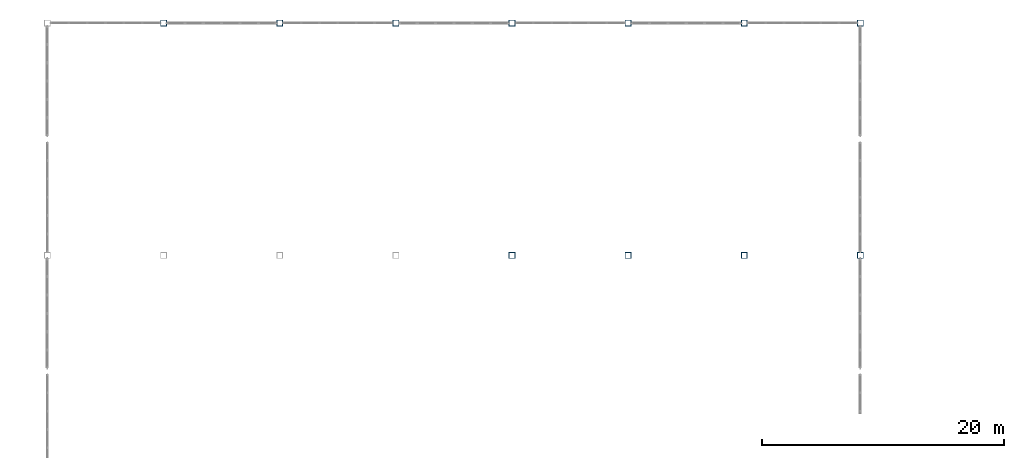
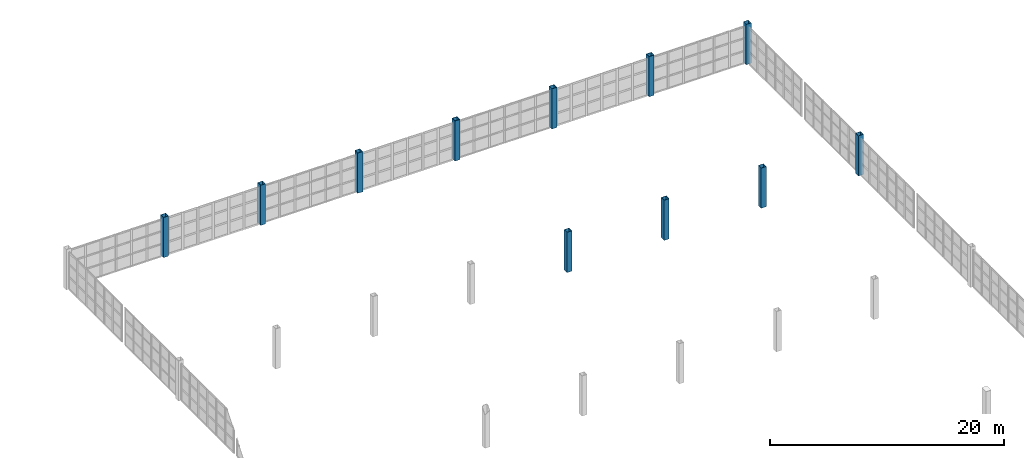
# One storey, part 10 of 82: 11 columns.
"""IFC4 building model written with IfcOpenShell, lengths in metres."""

from ifc_helpers import new_model, si_unit, direction, frame, origin, origin_2d, place, context, subcontext, project, spatial, hollow_rectangle, extrude, material, material_profile, profile_set, type_object, element, save


model = new_model("IFC4")

# Units and contexts
model_context = context("Model", 3, precision=1e-05, world=origin(), true_north=direction((0.0, 1.0)))
body_context = subcontext(model_context, "Body", "Model", "MODEL_VIEW")
ifc_project = project(units=[si_unit("LENGTHUNIT", "METRE"), si_unit("AREAUNIT", "SQUARE_METRE"), si_unit("VOLUMEUNIT", "CUBIC_METRE"), si_unit("PLANEANGLEUNIT", "RADIAN"), si_unit("MASSUNIT", "GRAM", prefix="KILO")], contexts=[model_context])

# Site, building, storey
site_placement = place(None, origin())
site = spatial("IfcSite", under=ifc_project, at=site_placement, CompositionType="ELEMENT")
building_placement = place(site_placement, origin())
building = spatial("IfcBuilding", under=site, at=building_placement, Name="Zarnetskaya Central Station", CompositionType="ELEMENT")
storey_placement = place(building_placement, frame((0.0, 0.0, 10.199951171875)))
storey = spatial("IfcBuildingStorey", under=building, at=storey_placement, Name="L02", CompositionType="ELEMENT", Elevation=10.199951171875)

# Columns
ifc_material = material(Name="Steel S355", Category="steel")
ifc_material_profile = material_profile(ifc_material, hollow_rectangle(XDim=0.5, YDim=0.5, WallThickness=0.02490234375, at=origin_2d()), Name="BOX 500x500x25")
ifc_profile_set = profile_set([ifc_material_profile], Name="Steel S355")
column_type = type_object("IfcColumnType", Name="COL-V1-SHED", PredefinedType="COLUMN", material=ifc_profile_set)
for number, where, z_axis, x_axis, name in (
    (1, (67.199951171875, 124.800048828125, 0.0), (0.0, 0.0, 1.0), (1.0, 0.0, 0.0), "Column H15 L02"),
    (2, (76.800048828125, 124.800048828125, 0.0), (0.0, 0.0, 1.0), (1.0, 0.0, 0.0), "Column J15 L02"),
    (3, (86.39990234375, 124.800048828125, 0.0), (0.0, 0.0, 1.0), (1.0, 0.0, 0.0), "Column K15 L02"),
    (4, (96.0, 105.60009765625, 0.0), (0.0, 0.0, 1.0), (1.0, 0.0, 0.0), "Column L13 L02"),
    (5, (96.0, 124.800048828125, 0.0), (0.0, 0.0, 1.0), (1.0, 0.0, 0.0), "Column L15 L02"),
    (6, (105.60009765625, 105.60009765625, 0.0), (0.0, 0.0, 1.0), (1.0, 0.0, 0.0), "Column M13 L02"),
    (7, (105.60009765625, 124.800048828125, 0.0), (0.0, 0.0, 1.0), (1.0, 0.0, 0.0), "Column M15 L02"),
    (8, (115.199951171875, 105.60009765625, 0.0), (0.0, 0.0, 1.0), (1.0, 0.0, 0.0), "Column N13 L02"),
    (9, (115.199951171875, 124.800048828125, 0.0), (0.0, 0.0, 1.0), (1.0, 0.0, 0.0), "Column N15 L02"),
    (10, (124.800048828125, 105.60009765625, 0.0), (0.0, 0.0, 1.0), (1.0, 0.0, 0.0), "Column P13 L02"),
    (11, (124.800048828125, 124.800048828125, 0.0), (0.0, 0.0, 1.0), (1.0, 0.0, 0.0), "Column P15 L02"),
):
    element("IfcColumn", number, at=place(storey_placement, frame(where, z_axis=z_axis, x_axis=x_axis)), inside=storey, type_object=column_type, Name=name, PredefinedType="COLUMN", context=body_context, shape_type="SweptSolid", body=[
        extrude(hollow_rectangle(XDim=0.5, YDim=0.5, WallThickness=0.02490234375, at=origin_2d()), origin(), (0.0, 0.0, 1.0), 4.199951171875),
    ])

save(model, "model.ifc")
